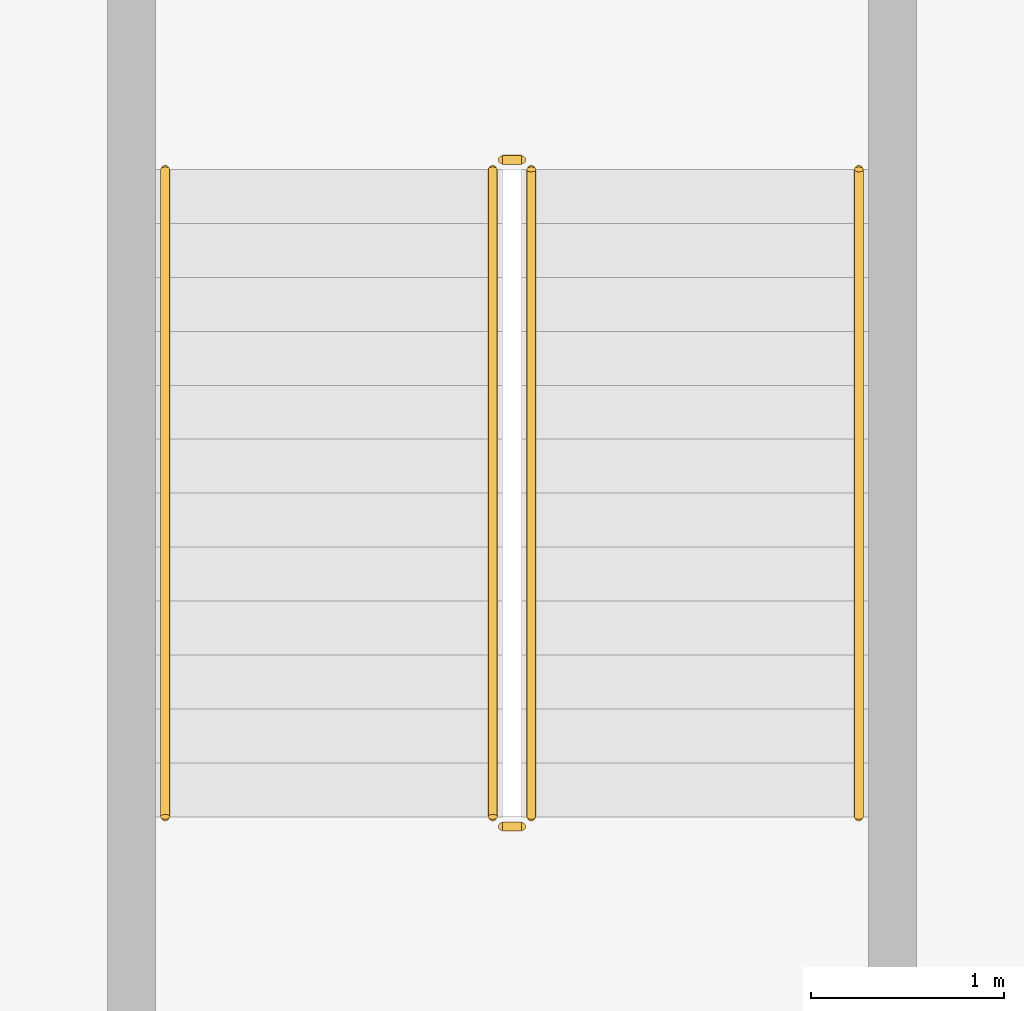
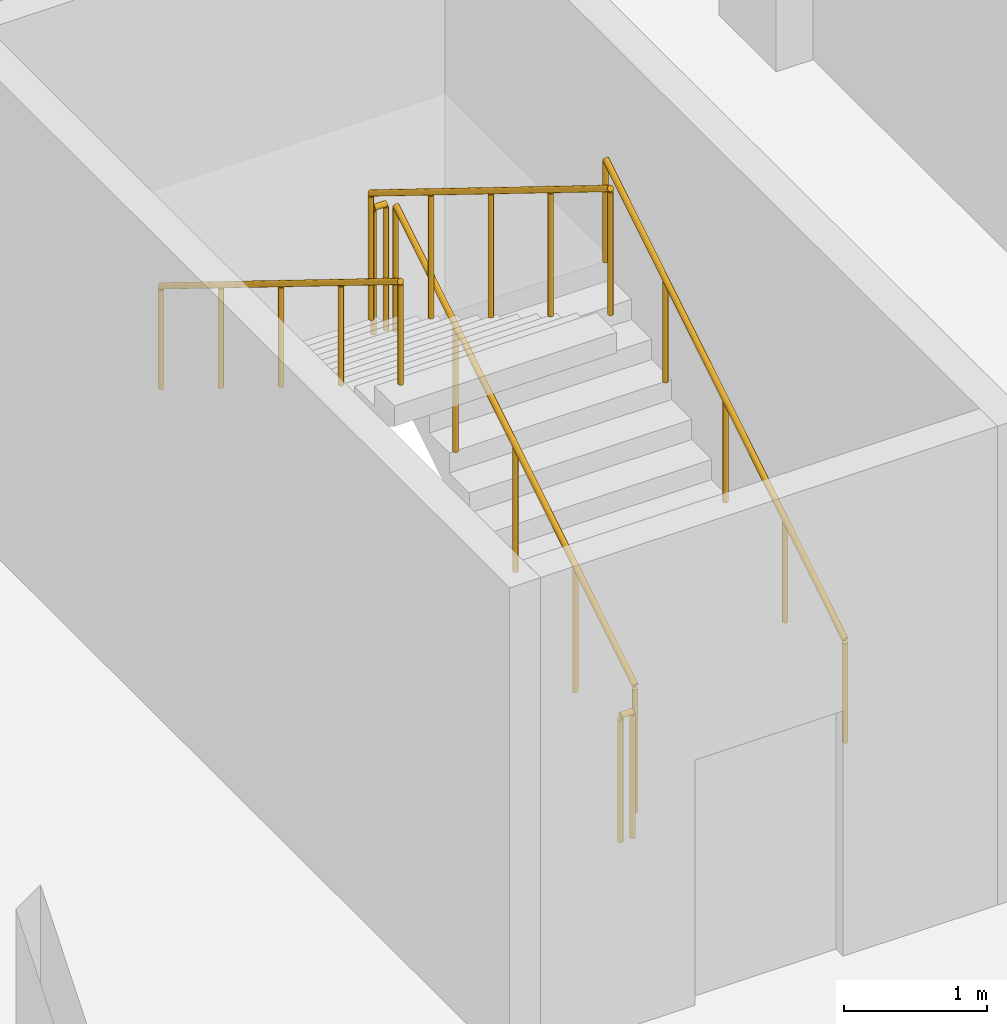
# One storey, part 32 of 35: 6 railings.
"""IFC4 building model written with IfcOpenShell, lengths in metres."""

from ifc_helpers import new_model, si_unit, direction, frame, origin, origin_2d, place, context, subcontext, project, spatial, circle, extrude, material, type_object, element, save


model = new_model("IFC4")

# Units and contexts
model_context = context("Model", 3, precision=1e-05, world=origin(), true_north=direction((0.0, 1.0)))
body_context = subcontext(model_context, "Body", "Model", "MODEL_VIEW")
ifc_project = project(units=[si_unit("LENGTHUNIT", "METRE"), si_unit("AREAUNIT", "SQUARE_METRE"), si_unit("VOLUMEUNIT", "CUBIC_METRE"), si_unit("PLANEANGLEUNIT", "RADIAN"), si_unit("MASSUNIT", "GRAM", prefix="KILO")], contexts=[model_context])

# Site, building, storey
site_placement = place(None, origin())
site = spatial("IfcSite", under=ifc_project, at=site_placement, CompositionType="ELEMENT")
building_placement = place(site_placement, origin())
building = spatial("IfcBuilding", under=site, at=building_placement, Name="Kilnfold Tower and Market Hall", CompositionType="ELEMENT")
storey_placement = place(building_placement, frame((0.0, 0.0, 13.5)))
storey = spatial("IfcBuildingStorey", under=building, at=storey_placement, Name="L02", CompositionType="ELEMENT", Elevation=13.5)

# Railings
ifc_material_1 = material(Name="Steel S355", Category="steel")
railing_type_1 = type_object("IfcRailingType", Name="HALL STAIR GUARD 1100", PredefinedType="GUARDRAIL", material=ifc_material_1)
railing_1_placement = place(storey_placement, frame((-12.550048828125, 46.699951171875, 0.173095703125)))
element("IfcRailing", 1, at=railing_1_placement, inside=storey, type_object=railing_type_1, Name="L02 MS4 stair guard 1", PredefinedType="GUARDRAIL", context=body_context, shape_type="SweptSolid", body=[
    extrude(circle(Radius=0.02392578125, at=origin_2d()), frame((0.0, 0.0, 1.076171875), z_axis=(0.0, 0.850623216509, 0.525775754039), x_axis=(-1.0, 0.0, 0.0)), (0.0, 0.0, 1.0), 3.9501953125),
    extrude(circle(Radius=0.02099609375, at=origin_2d()), origin(), (0.0, 0.0, 1.0), 1.052001953125),
    extrude(circle(Radius=0.02099609375, at=origin_2d()), frame((0.0, 0.840087890625, 0.519287109375)), (0.0, 0.0, 1.0), 1.052001953125),
    extrude(circle(Radius=0.02099609375, at=origin_2d()), frame((0.0, 1.68017578125, 1.03857421875)), (0.0, 0.0, 1.0), 1.052001953125),
    extrude(circle(Radius=0.02099609375, at=origin_2d()), frame((0.0, 2.52001953125, 1.5576171875)), (0.0, 0.0, 1.0), 1.052001953125),
    extrude(circle(Radius=0.02099609375, at=origin_2d()), frame((0.0, 3.360107421875, 2.076904296875)), (0.0, 0.0, 1.0), 1.052001953125),
])
railing_2_placement = place(storey_placement, frame((-12.60009765625, 50.110107421875, 2.25)))
element("IfcRailing", 2, at=railing_2_placement, inside=storey, type_object=railing_type_1, Name="L02 MS4 stair guard 2", PredefinedType="GUARDRAIL", context=body_context, shape_type="SweptSolid", body=[
    extrude(circle(Radius=0.02392578125, at=origin_2d()), frame((0.0, 0.0, 1.076171875), z_axis=(-1.0, 0.0, 0.0), x_axis=(0.0, -1.0, 0.0)), (0.0, 0.0, 1.0), 0.099853515625),
    extrude(circle(Radius=0.02099609375, at=origin_2d()), origin(), (0.0, 0.0, 1.0), 1.052001953125),
    extrude(circle(Radius=0.02099609375, at=origin_2d()), frame((-0.099853515625, 0.0, 0.0)), (0.0, 0.0, 1.0), 1.052001953125),
])
railing_3_placement = place(storey_placement, frame((-12.75, 50.06005859375, 2.423095703125)))
element("IfcRailing", 3, at=railing_3_placement, inside=storey, type_object=railing_type_1, Name="L02 MS4 stair guard 3", PredefinedType="GUARDRAIL", context=body_context, shape_type="SweptSolid", body=[
    extrude(circle(Radius=0.02392578125, at=origin_2d()), frame((0.0, 0.0, 1.076171875), z_axis=(0.0, -0.850623216509, 0.525775754039), x_axis=(1.0, 0.0, 0.0)), (0.0, 0.0, 1.0), 3.9501953125),
    extrude(circle(Radius=0.02099609375, at=origin_2d()), origin(), (0.0, 0.0, 1.0), 1.052001953125),
    extrude(circle(Radius=0.02099609375, at=origin_2d()), frame((0.0, -0.840087890625, 0.519287109375)), (0.0, 0.0, 1.0), 1.052001953125),
    extrude(circle(Radius=0.02099609375, at=origin_2d()), frame((0.0, -1.68017578125, 1.03857421875)), (0.0, 0.0, 1.0), 1.052001953125),
    extrude(circle(Radius=0.02099609375, at=origin_2d()), frame((0.0, -2.52001953125, 1.5576171875)), (0.0, 0.0, 1.0), 1.052001953125),
    extrude(circle(Radius=0.02099609375, at=origin_2d()), frame((0.0, -3.360107421875, 2.076904296875)), (0.0, 0.0, 1.0), 1.052001953125),
])
railing_4_placement = place(storey_placement, frame((-12.60009765625, 46.64990234375, 0.0)))
element("IfcRailing", 4, at=railing_4_placement, inside=storey, type_object=railing_type_1, Name="L02 MS4 stair guard 4", PredefinedType="GUARDRAIL", context=body_context, shape_type="SweptSolid", body=[
    extrude(circle(Radius=0.02392578125, at=origin_2d()), frame((0.0, 0.0, 1.076171875), z_axis=(-1.0, 0.0, 0.0), x_axis=(0.0, -1.0, 0.0)), (0.0, 0.0, 1.0), 0.099853515625),
    extrude(circle(Radius=0.02099609375, at=origin_2d()), origin(), (0.0, 0.0, 1.0), 1.052001953125),
    extrude(circle(Radius=0.02099609375, at=origin_2d()), frame((-0.099853515625, 0.0, 0.0)), (0.0, 0.0, 1.0), 1.052001953125),
])
ifc_material_2 = material(Name="Steel S355", Category="steel")
railing_type_2 = type_object("IfcRailingType", Name="HALL STAIR HANDRAIL", PredefinedType="HANDRAIL", material=ifc_material_2)
railing_5_placement = place(storey_placement, frame((-10.85009765625, 46.699951171875, 0.173095703125)))
element("IfcRailing", 5, at=railing_5_placement, inside=storey, type_object=railing_type_2, Name="L02 MS4 stair handrail 1", PredefinedType="HANDRAIL", context=body_context, shape_type="SweptSolid", body=[
    extrude(circle(Radius=0.02392578125, at=origin_2d()), frame((0.0, 0.0, 0.8759765625), z_axis=(0.0, 0.850623216509, 0.525775754039), x_axis=(-1.0, 0.0, 0.0)), (0.0, 0.0, 1.0), 3.9501953125),
    extrude(circle(Radius=0.02099609375, at=origin_2d()), origin(), (0.0, 0.0, 1.0), 0.851806640625),
    extrude(circle(Radius=0.02099609375, at=origin_2d()), frame((0.0, 0.840087890625, 0.519287109375)), (0.0, 0.0, 1.0), 0.851806640625),
    extrude(circle(Radius=0.02099609375, at=origin_2d()), frame((0.0, 1.68017578125, 1.03857421875)), (0.0, 0.0, 1.0), 0.851806640625),
    extrude(circle(Radius=0.02099609375, at=origin_2d()), frame((0.0, 2.52001953125, 1.5576171875)), (0.0, 0.0, 1.0), 0.851806640625),
    extrude(circle(Radius=0.02099609375, at=origin_2d()), frame((0.0, 3.360107421875, 2.076904296875)), (0.0, 0.0, 1.0), 0.851806640625),
])
railing_6_placement = place(storey_placement, frame((-14.449951171875, 50.06005859375, 2.423095703125)))
element("IfcRailing", 6, at=railing_6_placement, inside=storey, type_object=railing_type_2, Name="L02 MS4 stair handrail 2", PredefinedType="HANDRAIL", context=body_context, shape_type="SweptSolid", body=[
    extrude(circle(Radius=0.02392578125, at=origin_2d()), frame((0.0, 0.0, 0.8759765625), z_axis=(0.0, -0.850623216509, 0.525775754039), x_axis=(1.0, 0.0, 0.0)), (0.0, 0.0, 1.0), 3.9501953125),
    extrude(circle(Radius=0.02099609375, at=origin_2d()), origin(), (0.0, 0.0, 1.0), 0.851806640625),
    extrude(circle(Radius=0.02099609375, at=origin_2d()), frame((0.0, -0.840087890625, 0.519287109375)), (0.0, 0.0, 1.0), 0.851806640625),
    extrude(circle(Radius=0.02099609375, at=origin_2d()), frame((0.0, -1.68017578125, 1.03857421875)), (0.0, 0.0, 1.0), 0.851806640625),
    extrude(circle(Radius=0.02099609375, at=origin_2d()), frame((0.0, -2.52001953125, 1.5576171875)), (0.0, 0.0, 1.0), 0.851806640625),
    extrude(circle(Radius=0.02099609375, at=origin_2d()), frame((0.0, -3.360107421875, 2.076904296875)), (0.0, 0.0, 1.0), 0.851806640625),
])

save(model, "model.ifc")
